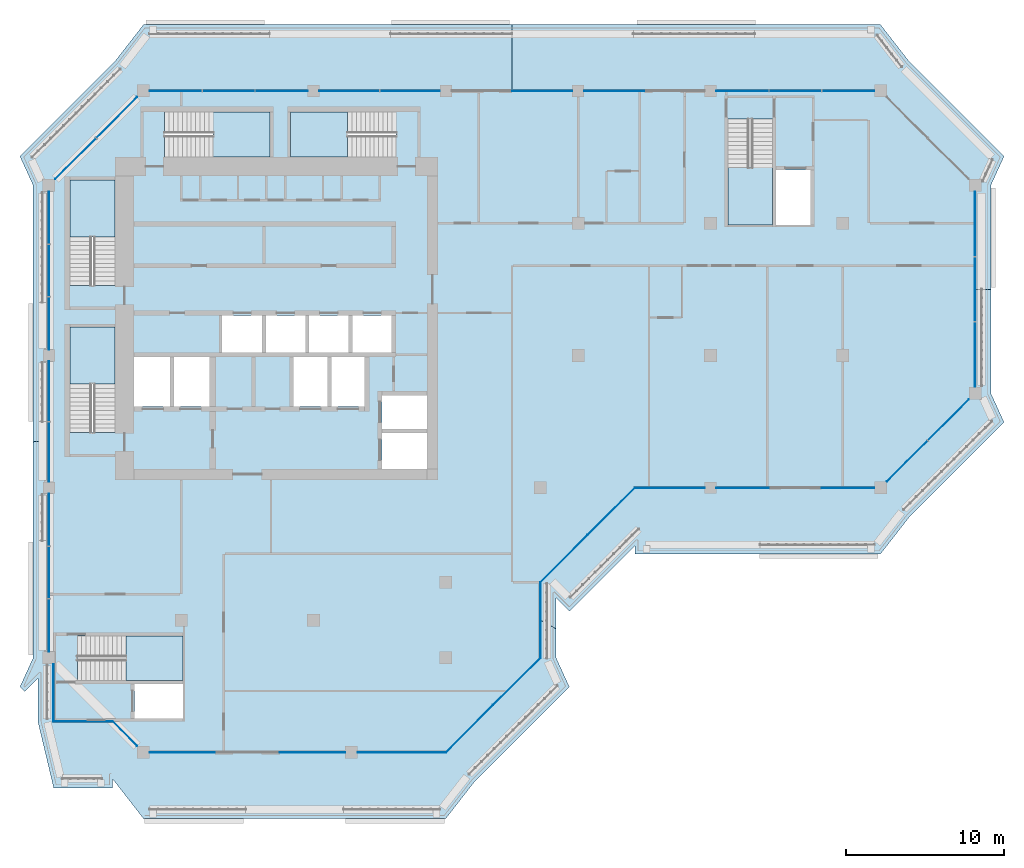
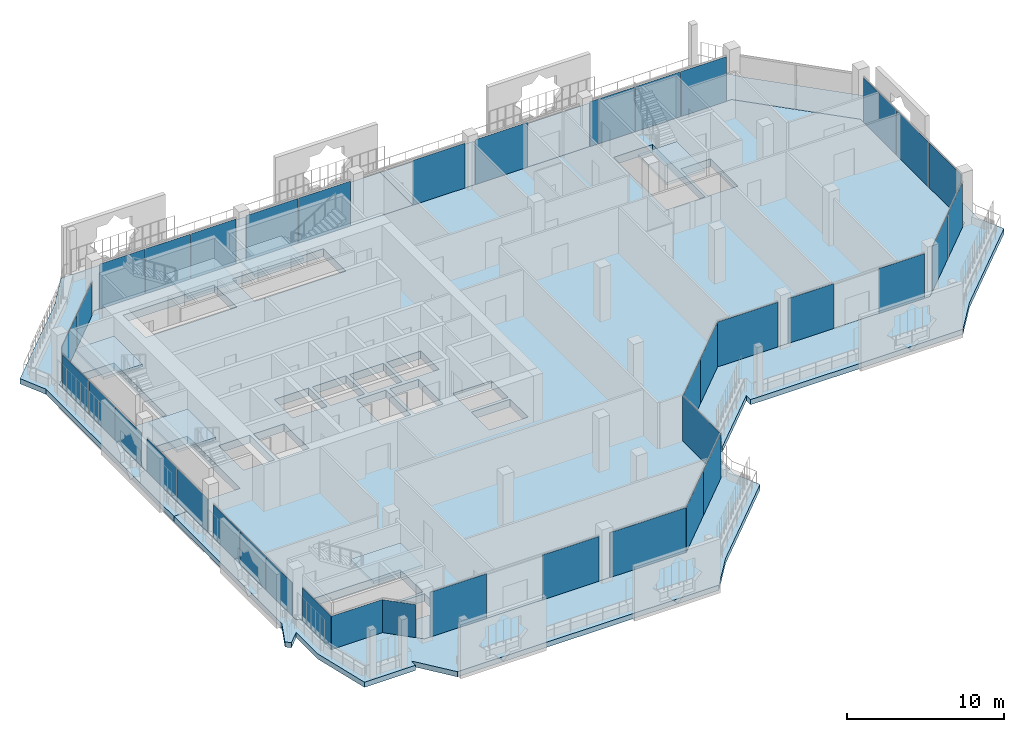
# One storey, part 9 of 21: 39 plates, 11 slabs, 19 elements without a shape of their own.
"""IFC4 building model written with IfcOpenShell, lengths in metres."""

from ifc_helpers import new_model, si_unit, direction, frame, origin, origin_2d, place, context, subcontext, project, spatial, polyline, rectangle, outline, extrude, material, layer, layer_set, type_object, element, aggregate, save


model = new_model("IFC4")

# Units and contexts
model_context = context("Model", 3, precision=1e-05, world=origin(), true_north=direction((0.0, 1.0)))
body_context = subcontext(model_context, "Body", "Model", "MODEL_VIEW")
ifc_project = project(units=[si_unit("LENGTHUNIT", "METRE"), si_unit("AREAUNIT", "SQUARE_METRE"), si_unit("VOLUMEUNIT", "CUBIC_METRE"), si_unit("PLANEANGLEUNIT", "RADIAN"), si_unit("MASSUNIT", "GRAM", prefix="KILO")], contexts=[model_context])

# Site, building, storey
site_placement = place(None, origin())
site = spatial("IfcSite", under=ifc_project, at=site_placement, CompositionType="ELEMENT")
building_placement = place(site_placement, origin())
building = spatial("IfcBuilding", under=site, at=building_placement, Name="Kawkab Arch Medical Tower", CompositionType="ELEMENT")
storey_placement = place(building_placement, frame((0.0, 0.0, 302.800048828125)))
storey = spatial("IfcBuildingStorey", under=building, at=storey_placement, Name="L70", CompositionType="ELEMENT", Elevation=302.800048828125)

# Curtain wall, plates
ifc_material_1 = material(Name="Bronze anodised aluminium curtain wall frame", Category="aluminium")
ifc_layer_1 = layer(ifc_material_1, 0.159912109375)
ifc_layer_set_1 = layer_set([ifc_layer_1], Name="Bronze anodised aluminium curtain wall frame")
curtain_wall_type_1 = type_object("IfcCurtainWallType", Name="CW1 ward curtain wall", PredefinedType="NOTDEFINED", material=ifc_layer_set_1)
placement_1 = place(storey_placement, origin())
curtain_wall_1 = element("IfcCurtainWall", 1, at=placement_1, inside=storey, type_object=curtain_wall_type_1, Name="CW1 Ward curtain wall R02", PredefinedType="NOTDEFINED")
ifc_material_2 = material(Name="Tinted insulating glass, bronze low-e coating", Category="glass")
ifc_layer_2 = layer(ifc_material_2, 0.031982421875)
ifc_layer_set_2 = layer_set([ifc_layer_2], Name="Tinted insulating glass, bronze low-e coating")
plate_type_1 = type_object("IfcPlateType", Name="CW1 glazing unit 32", PredefinedType="CURTAIN_PANEL", material=ifc_layer_set_2)
plate_1_placement = place(storey_placement, frame((0.0, -8.055908203125, 0.0), z_axis=(0.0, 0.0, 1.0), x_axis=(0.0, -1.0, 0.0)))
plate_1 = element("IfcPlate", 2, at=plate_1_placement, type_object=plate_type_1, Name="CW1 glazing unit 1.1", PredefinedType="CURTAIN_PANEL", context=body_context, shape_type="SweptSolid", body=[
    extrude(rectangle(XDim=3.311767578125, YDim=0.031982421875, at=origin_2d()), origin(), (0.0, 0.0, 1.0), 2.580078125),
])
plate_2_placement = place(storey_placement, frame((0.0, -11.41259765625, 0.0), z_axis=(0.0, 0.0, 1.0), x_axis=(0.0, -1.0, 0.0)))
plate_2 = element("IfcPlate", 3, at=plate_2_placement, type_object=plate_type_1, Name="CW1 glazing unit 1.2", PredefinedType="CURTAIN_PANEL", context=body_context, shape_type="SweptSolid", body=[
    extrude(rectangle(XDim=3.28173828125, YDim=0.031982421875, at=origin_2d()), origin(), (0.0, 0.0, 1.0), 2.580078125),
])
plate_3_placement = place(storey_placement, frame((0.0, -14.769287109375, 0.0), z_axis=(0.0, 0.0, 1.0), x_axis=(0.0, -1.0, 0.0)))
plate_3 = element("IfcPlate", 4, at=plate_3_placement, type_object=plate_type_1, Name="CW1 glazing unit 1.3", PredefinedType="CURTAIN_PANEL", context=body_context, shape_type="SweptSolid", body=[
    extrude(rectangle(XDim=3.311767578125, YDim=0.031982421875, at=origin_2d()), origin(), (0.0, 0.0, 1.0), 2.580078125),
])
plate_4_placement = place(storey_placement, frame((0.0, -19.072509765625, 0.0), z_axis=(0.0, 0.0, 1.0), x_axis=(0.0, -1.0, 0.0)))
plate_4 = element("IfcPlate", 5, at=plate_4_placement, type_object=plate_type_1, Name="CW1 glazing unit 2.1", PredefinedType="CURTAIN_PANEL", context=body_context, shape_type="SweptSolid", body=[
    extrude(rectangle(XDim=3.794921875, YDim=0.031982421875, at=origin_2d()), origin(), (0.0, 0.0, 1.0), 2.580078125),
])
plate_5_placement = place(storey_placement, frame((0.0, -22.927490234375, 0.0), z_axis=(0.0, 0.0, 1.0), x_axis=(0.0, -1.0, 0.0)))
plate_5 = element("IfcPlate", 6, at=plate_5_placement, type_object=plate_type_1, Name="CW1 glazing unit 2.2", PredefinedType="CURTAIN_PANEL", context=body_context, shape_type="SweptSolid", body=[
    extrude(rectangle(XDim=3.794921875, YDim=0.031982421875, at=origin_2d()), origin(), (0.0, 0.0, 1.0), 2.580078125),
])
plate_6_placement = place(storey_placement, frame((0.0, -27.230712890625, 0.0), z_axis=(0.0, 0.0, 1.0), x_axis=(0.0, -1.0, 0.0)))
plate_6 = element("IfcPlate", 7, at=plate_6_placement, type_object=plate_type_1, Name="CW1 glazing unit 3.1", PredefinedType="CURTAIN_PANEL", context=body_context, shape_type="SweptSolid", body=[
    extrude(rectangle(XDim=3.311767578125, YDim=0.031982421875, at=origin_2d()), origin(), (0.0, 0.0, 1.0), 2.580078125),
])
plate_7_placement = place(storey_placement, frame((0.0, -30.58740234375, 0.0), z_axis=(0.0, 0.0, 1.0), x_axis=(0.0, -1.0, 0.0)))
plate_7 = element("IfcPlate", 8, at=plate_7_placement, type_object=plate_type_1, Name="CW1 glazing unit 3.2", PredefinedType="CURTAIN_PANEL", context=body_context, shape_type="SweptSolid", body=[
    extrude(rectangle(XDim=3.28173828125, YDim=0.031982421875, at=origin_2d()), origin(), (0.0, 0.0, 1.0), 2.580078125),
])
plate_8_placement = place(storey_placement, frame((0.0, -33.944091796875, 0.0), z_axis=(0.0, 0.0, 1.0), x_axis=(0.0, -1.0, 0.0)))
plate_8 = element("IfcPlate", 9, at=plate_8_placement, type_object=plate_type_1, Name="CW1 glazing unit 3.3", PredefinedType="CURTAIN_PANEL", context=body_context, shape_type="SweptSolid", body=[
    extrude(rectangle(XDim=3.311767578125, YDim=0.031982421875, at=origin_2d()), origin(), (0.0, 0.0, 1.0), 2.580078125),
])
aggregate(curtain_wall_1, [plate_1, plate_2, plate_3, plate_4, plate_5, plate_6, plate_7, plate_8])

# Curtain wall, plate
curtain_wall_2 = element("IfcCurtainWall", 10, at=placement_1, inside=storey, type_object=curtain_wall_type_1, Name="CW1 Ward curtain wall R04", PredefinedType="NOTDEFINED")
plate_9_placement = place(storey_placement, frame((0.300048828125, -38.22509765625, 0.0), z_axis=(0.0, 0.0, 1.0), x_axis=(0.0, -1.0, 0.0)))
plate_9 = element("IfcPlate", 11, at=plate_9_placement, type_object=plate_type_1, Name="CW1 glazing unit 1.1", PredefinedType="CURTAIN_PANEL", context=body_context, shape_type="SweptSolid", body=[
    extrude(rectangle(XDim=3.64990234375, YDim=0.031982421875, at=origin_2d()), origin(), (0.0, 0.0, 1.0), 2.580078125),
])
aggregate(curtain_wall_2, [plate_9])

curtain_wall_3 = element("IfcCurtainWall", 12, at=placement_1, inside=storey, type_object=curtain_wall_type_1, Name="CW1 Ward curtain wall R05", PredefinedType="NOTDEFINED")
plate_10_placement = place(storey_placement, frame((2.175048828125, -40.050048828125, 0.0), z_axis=(0.0, 0.0, 1.0), x_axis=(1.0, 0.0, 0.0)))
plate_10 = element("IfcPlate", 13, at=plate_10_placement, type_object=plate_type_1, Name="CW1 glazing unit 1.1", PredefinedType="CURTAIN_PANEL", context=body_context, shape_type="SweptSolid", body=[
    extrude(rectangle(XDim=3.75, YDim=0.031982421875, at=origin_2d()), origin(), (0.0, 0.0, 1.0), 2.580078125),
])
aggregate(curtain_wall_3, [plate_10])

# Curtain wall, plates
curtain_wall_4 = element("IfcCurtainWall", 14, at=placement_1, inside=storey, type_object=curtain_wall_type_1, Name="CW1 Ward curtain wall R07", PredefinedType="NOTDEFINED")
plate_11_placement = place(storey_placement, frame((8.466552734375, -42.0, 0.0), z_axis=(0.0, 0.0, 1.0), x_axis=(1.0, 0.0, 0.0)))
plate_11 = element("IfcPlate", 15, at=plate_11_placement, type_object=plate_type_1, Name="CW1 glazing unit 1.1", PredefinedType="CURTAIN_PANEL", context=body_context, shape_type="SweptSolid", body=[
    extrude(rectangle(XDim=4.13330078125, YDim=0.031982421875, at=origin_2d()), origin(), (0.0, 0.0, 1.0), 3.47998046875),
])
plate_12_placement = place(storey_placement, frame((16.7333984375, -42.0, 0.0), z_axis=(0.0, 0.0, 1.0), x_axis=(1.0, 0.0, 0.0)))
plate_12 = element("IfcPlate", 16, at=plate_12_placement, type_object=plate_type_1, Name="CW1 glazing unit 1.3", PredefinedType="CURTAIN_PANEL", context=body_context, shape_type="SweptSolid", body=[
    extrude(rectangle(XDim=4.13330078125, YDim=0.031982421875, at=origin_2d()), origin(), (0.0, 0.0, 1.0), 3.47998046875),
])
plate_13_placement = place(storey_placement, frame((22.39990234375, -42.0, 0.0), z_axis=(0.0, 0.0, 1.0), x_axis=(1.0, 0.0, 0.0)))
plate_13 = element("IfcPlate", 17, at=plate_13_placement, type_object=plate_type_1, Name="CW1 glazing unit 2.1", PredefinedType="CURTAIN_PANEL", context=body_context, shape_type="SweptSolid", body=[
    extrude(rectangle(XDim=5.60009765625, YDim=0.031982421875, at=origin_2d()), origin(), (0.0, 0.0, 1.0), 3.47998046875),
])
aggregate(curtain_wall_4, [plate_11, plate_12, plate_13])

# Curtain wall, plate
curtain_wall_5 = element("IfcCurtainWall", 18, at=placement_1, inside=storey, type_object=curtain_wall_type_1, Name="CW1 Ward curtain wall R09", PredefinedType="NOTDEFINED")
plate_14_placement = place(storey_placement, frame((31.199951171875, -33.60009765625, 0.0), z_axis=(0.0, 0.0, 1.0), x_axis=(0.0, 1.0, 0.0)))
plate_14 = element("IfcPlate", 19, at=plate_14_placement, type_object=plate_type_1, Name="CW1 glazing unit 1.1", PredefinedType="CURTAIN_PANEL", context=body_context, shape_type="SweptSolid", body=[
    extrude(rectangle(XDim=4.800048828125, YDim=0.031982421875, at=origin_2d()), origin(), (0.0, 0.0, 1.0), 3.47998046875),
])
aggregate(curtain_wall_5, [plate_14])

# Curtain wall, plates
curtain_wall_6 = element("IfcCurtainWall", 20, at=placement_1, inside=storey, type_object=curtain_wall_type_1, Name="CW1 Ward curtain wall R11", PredefinedType="NOTDEFINED")
plate_15_placement = place(storey_placement, frame((39.41259765625, -25.199951171875, 0.0), z_axis=(0.0, 0.0, 1.0), x_axis=(1.0, 0.0, 0.0)))
plate_15 = element("IfcPlate", 21, at=plate_15_placement, type_object=plate_type_1, Name="CW1 glazing unit 1.1", PredefinedType="CURTAIN_PANEL", context=body_context, shape_type="SweptSolid", body=[
    extrude(rectangle(XDim=4.425048828125, YDim=0.031982421875, at=origin_2d()), origin(), (0.0, 0.0, 1.0), 3.47998046875),
])
plate_16_placement = place(storey_placement, frame((44.0458984375, -25.199951171875, 0.0), z_axis=(0.0, 0.0, 1.0), x_axis=(1.0, 0.0, 0.0)))
plate_16 = element("IfcPlate", 22, at=plate_16_placement, type_object=plate_type_1, Name="CW1 glazing unit 2.1", PredefinedType="CURTAIN_PANEL", context=body_context, shape_type="SweptSolid", body=[
    extrude(rectangle(XDim=3.341552734375, YDim=0.031982421875, at=origin_2d()), origin(), (0.0, 0.0, 1.0), 3.47998046875),
])
plate_17_placement = place(storey_placement, frame((50.729248046875, -25.199951171875, 0.0), z_axis=(0.0, 0.0, 1.0), x_axis=(1.0, 0.0, 0.0)))
plate_17 = element("IfcPlate", 23, at=plate_17_placement, type_object=plate_type_1, Name="CW1 glazing unit 2.3", PredefinedType="CURTAIN_PANEL", context=body_context, shape_type="SweptSolid", body=[
    extrude(rectangle(XDim=3.341552734375, YDim=0.031982421875, at=origin_2d()), origin(), (0.0, 0.0, 1.0), 3.47998046875),
])
aggregate(curtain_wall_6, [plate_15, plate_16, plate_17])

curtain_wall_7 = element("IfcCurtainWall", 24, at=placement_1, inside=storey, type_object=curtain_wall_type_1, Name="CW1 Ward curtain wall R13", PredefinedType="NOTDEFINED")
plate_18_placement = place(storey_placement, frame((58.800048828125, -16.748291015625, 0.0), z_axis=(0.0, 0.0, 1.0), x_axis=(0.0, 1.0, 0.0)))
plate_18 = element("IfcPlate", 25, at=plate_18_placement, type_object=plate_type_1, Name="CW1 glazing unit 1.1", PredefinedType="CURTAIN_PANEL", context=body_context, shape_type="SweptSolid", body=[
    extrude(rectangle(XDim=4.103271484375, YDim=0.031982421875, at=origin_2d()), origin(), (0.0, 0.0, 1.0), 3.47998046875),
])
plate_19_placement = place(storey_placement, frame((58.800048828125, -12.60009765625, 0.0), z_axis=(0.0, 0.0, 1.0), x_axis=(0.0, 1.0, 0.0)))
plate_19 = element("IfcPlate", 26, at=plate_19_placement, type_object=plate_type_1, Name="CW1 glazing unit 1.2", PredefinedType="CURTAIN_PANEL", context=body_context, shape_type="SweptSolid", body=[
    extrude(rectangle(XDim=4.0732421875, YDim=0.031982421875, at=origin_2d()), origin(), (0.0, 0.0, 1.0), 3.47998046875),
])
plate_20_placement = place(storey_placement, frame((58.800048828125, -8.45166015625, 0.0), z_axis=(0.0, 0.0, 1.0), x_axis=(0.0, 1.0, 0.0)))
plate_20 = element("IfcPlate", 27, at=plate_20_placement, type_object=plate_type_1, Name="CW1 glazing unit 1.3", PredefinedType="CURTAIN_PANEL", context=body_context, shape_type="SweptSolid", body=[
    extrude(rectangle(XDim=4.103271484375, YDim=0.031982421875, at=origin_2d()), origin(), (0.0, 0.0, 1.0), 3.47998046875),
])
aggregate(curtain_wall_7, [plate_18, plate_19, plate_20])

curtain_wall_8 = element("IfcCurtainWall", 28, at=placement_1, inside=storey, type_object=curtain_wall_type_1, Name="CW1 Ward curtain wall R15", PredefinedType="NOTDEFINED")
plate_21_placement = place(storey_placement, frame((50.744140625, 0.0, 0.0), z_axis=(0.0, 0.0, 1.0), x_axis=(-1.0, 0.0, 0.0)))
plate_21 = element("IfcPlate", 29, at=plate_21_placement, type_object=plate_type_1, Name="CW1 glazing unit 1.1", PredefinedType="CURTAIN_PANEL", context=body_context, shape_type="SweptSolid", body=[
    extrude(rectangle(XDim=3.311767578125, YDim=0.031982421875, at=origin_2d()), origin(), (0.0, 0.0, 1.0), 3.47998046875),
])
plate_22_placement = place(storey_placement, frame((47.387451171875, 0.0, 0.0), z_axis=(0.0, 0.0, 1.0), x_axis=(-1.0, 0.0, 0.0)))
plate_22 = element("IfcPlate", 30, at=plate_22_placement, type_object=plate_type_1, Name="CW1 glazing unit 1.2", PredefinedType="CURTAIN_PANEL", context=body_context, shape_type="SweptSolid", body=[
    extrude(rectangle(XDim=3.28173828125, YDim=0.031982421875, at=origin_2d()), origin(), (0.0, 0.0, 1.0), 3.47998046875),
])
plate_23_placement = place(storey_placement, frame((44.03076171875, 0.0, 0.0), z_axis=(0.0, 0.0, 1.0), x_axis=(-1.0, 0.0, 0.0)))
plate_23 = element("IfcPlate", 31, at=plate_23_placement, type_object=plate_type_1, Name="CW1 glazing unit 1.3", PredefinedType="CURTAIN_PANEL", context=body_context, shape_type="SweptSolid", body=[
    extrude(rectangle(XDim=3.311767578125, YDim=0.031982421875, at=origin_2d()), origin(), (0.0, 0.0, 1.0), 3.47998046875),
])
plate_24_placement = place(storey_placement, frame((35.887451171875, 0.0, 0.0), z_axis=(0.0, 0.0, 1.0), x_axis=(-1.0, 0.0, 0.0)))
plate_24 = element("IfcPlate", 32, at=plate_24_placement, type_object=plate_type_1, Name="CW1 glazing unit 2.2", PredefinedType="CURTAIN_PANEL", context=body_context, shape_type="SweptSolid", body=[
    extrude(rectangle(XDim=3.824951171875, YDim=0.031982421875, at=origin_2d()), origin(), (0.0, 0.0, 1.0), 3.47998046875),
])
plate_25_placement = place(storey_placement, frame((31.3125, 0.0, 0.0), z_axis=(0.0, 0.0, 1.0), x_axis=(-1.0, 0.0, 0.0)))
plate_25 = element("IfcPlate", 33, at=plate_25_placement, type_object=plate_type_1, Name="CW1 glazing unit 3.1", PredefinedType="CURTAIN_PANEL", context=body_context, shape_type="SweptSolid", body=[
    extrude(rectangle(XDim=3.824951171875, YDim=0.031982421875, at=origin_2d()), origin(), (0.0, 0.0, 1.0), 3.47998046875),
])
plate_26_placement = place(storey_placement, frame((22.927490234375, 0.0, 0.0), z_axis=(0.0, 0.0, 1.0), x_axis=(-1.0, 0.0, 0.0)))
plate_26 = element("IfcPlate", 34, at=plate_26_placement, type_object=plate_type_1, Name="CW1 glazing unit 4.1", PredefinedType="CURTAIN_PANEL", context=body_context, shape_type="SweptSolid", body=[
    extrude(rectangle(XDim=3.794921875, YDim=0.031982421875, at=origin_2d()), origin(), (0.0, 0.0, 1.0), 3.47998046875),
])
plate_27_placement = place(storey_placement, frame((19.072509765625, 0.0, 0.0), z_axis=(0.0, 0.0, 1.0), x_axis=(-1.0, 0.0, 0.0)))
plate_27 = element("IfcPlate", 35, at=plate_27_placement, type_object=plate_type_1, Name="CW1 glazing unit 4.2", PredefinedType="CURTAIN_PANEL", context=body_context, shape_type="SweptSolid", body=[
    extrude(rectangle(XDim=3.794921875, YDim=0.031982421875, at=origin_2d()), origin(), (0.0, 0.0, 1.0), 3.47998046875),
])
plate_28_placement = place(storey_placement, frame((14.769287109375, 0.0, 0.0), z_axis=(0.0, 0.0, 1.0), x_axis=(-1.0, 0.0, 0.0)))
plate_28 = element("IfcPlate", 36, at=plate_28_placement, type_object=plate_type_1, Name="CW1 glazing unit 5.1", PredefinedType="CURTAIN_PANEL", context=body_context, shape_type="SweptSolid", body=[
    extrude(rectangle(XDim=3.311767578125, YDim=0.031982421875, at=origin_2d()), origin(), (0.0, 0.0, 1.0), 3.47998046875),
])
plate_29_placement = place(storey_placement, frame((11.41259765625, 0.0, 0.0), z_axis=(0.0, 0.0, 1.0), x_axis=(-1.0, 0.0, 0.0)))
plate_29 = element("IfcPlate", 37, at=plate_29_placement, type_object=plate_type_1, Name="CW1 glazing unit 5.2", PredefinedType="CURTAIN_PANEL", context=body_context, shape_type="SweptSolid", body=[
    extrude(rectangle(XDim=3.28173828125, YDim=0.031982421875, at=origin_2d()), origin(), (0.0, 0.0, 1.0), 3.47998046875),
])
plate_30_placement = place(storey_placement, frame((8.055908203125, 0.0, 0.0), z_axis=(0.0, 0.0, 1.0), x_axis=(-1.0, 0.0, 0.0)))
plate_30 = element("IfcPlate", 38, at=plate_30_placement, type_object=plate_type_1, Name="CW1 glazing unit 5.3", PredefinedType="CURTAIN_PANEL", context=body_context, shape_type="SweptSolid", body=[
    extrude(rectangle(XDim=3.311767578125, YDim=0.031982421875, at=origin_2d()), origin(), (0.0, 0.0, 1.0), 3.47998046875),
])
aggregate(curtain_wall_8, [plate_21, plate_22, plate_23, plate_24, plate_25, plate_26, plate_27, plate_28, plate_29, plate_30])

ifc_material_3 = material(Name="Bronze anodised aluminium curtain wall frame", Category="aluminium")
ifc_layer_3 = layer(ifc_material_3, 0.159912109375)
ifc_layer_set_3 = layer_set([ifc_layer_3], Name="Bronze anodised aluminium curtain wall frame")
curtain_wall_type_2 = type_object("IfcCurtainWallType", Name="CW2 chamfer curtain wall", PredefinedType="NOTDEFINED", material=ifc_layer_set_3)
curtain_wall_9 = element("IfcCurtainWall", 39, at=placement_1, inside=storey, type_object=curtain_wall_type_2, Name="CW2 Chamfer curtain wall R01", PredefinedType="NOTDEFINED")
ifc_material_4 = material(Name="Tinted insulating glass, bronze low-e coating", Category="glass")
ifc_layer_4 = layer(ifc_material_4, 0.031982421875)
ifc_layer_set_4 = layer_set([ifc_layer_4], Name="Tinted insulating glass, bronze low-e coating")
plate_type_2 = type_object("IfcPlateType", Name="CW2 glazing unit 32", PredefinedType="CURTAIN_PANEL", material=ifc_layer_set_4)
plate_31_placement = place(storey_placement, frame((4.310546875, -1.689453125, 0.0), z_axis=(0.0, 0.0, 1.0), x_axis=(-0.707106781187, -0.707106781187, 0.0)))
plate_31 = element("IfcPlate", 40, at=plate_31_placement, type_object=plate_type_2, Name="CW2 glazing unit 1.1", PredefinedType="CURTAIN_PANEL", context=body_context, shape_type="SweptSolid", body=[
    extrude(rectangle(XDim=3.64697265625, YDim=0.031982421875, at=origin_2d()), origin(), (0.0, 0.0, 1.0), 2.56005859375),
])
plate_32_placement = place(storey_placement, frame((1.689453125, -4.310546875, 0.0), z_axis=(0.0, 0.0, 1.0), x_axis=(-0.707106781187, -0.707106781187, 0.0)))
plate_32 = element("IfcPlate", 41, at=plate_32_placement, type_object=plate_type_2, Name="CW2 glazing unit 1.2", PredefinedType="CURTAIN_PANEL", context=body_context, shape_type="SweptSolid", body=[
    extrude(rectangle(XDim=3.64697265625, YDim=0.031982421875, at=origin_2d()), origin(), (0.0, 0.0, 1.0), 2.56005859375),
])
aggregate(curtain_wall_9, [plate_31, plate_32])

# Curtain wall, plate
curtain_wall_10 = element("IfcCurtainWall", 42, at=placement_1, inside=storey, type_object=curtain_wall_type_2, Name="CW2 Chamfer curtain wall R06", PredefinedType="NOTDEFINED")
plate_33_placement = place(storey_placement, frame((4.824951171875, -40.824951171875, 0.0), z_axis=(0.0, 0.0, 1.0), x_axis=(0.707106781187, -0.707106781187, 0.0)))
plate_33 = element("IfcPlate", 43, at=plate_33_placement, type_object=plate_type_2, Name="CW2 glazing unit 1.1", PredefinedType="CURTAIN_PANEL", context=body_context, shape_type="SweptSolid", body=[
    extrude(rectangle(XDim=2.192138671875, YDim=0.031982421875, at=origin_2d()), origin(), (0.0, 0.0, 1.0), 2.56005859375),
])
aggregate(curtain_wall_10, [plate_33])

# Curtain wall, plates
curtain_wall_11 = element("IfcCurtainWall", 44, at=placement_1, inside=storey, type_object=curtain_wall_type_2, Name="CW2 Chamfer curtain wall R08", PredefinedType="NOTDEFINED")
plate_34_placement = place(storey_placement, frame((26.699951171875, -40.5, 0.0), z_axis=(0.0, 0.0, 1.0), x_axis=(0.707106781187, 0.707106781187, 0.0)))
plate_34 = element("IfcPlate", 45, at=plate_34_placement, type_object=plate_type_2, Name="CW2 glazing unit 1.1", PredefinedType="CURTAIN_PANEL", context=body_context, shape_type="SweptSolid", body=[
    extrude(rectangle(XDim=4.24267578125, YDim=0.031982421875, at=origin_2d()), origin(), (0.0, 0.0, 1.0), 3.4599609375),
])
plate_35_placement = place(storey_placement, frame((29.699951171875, -37.5, 0.0), z_axis=(0.0, 0.0, 1.0), x_axis=(0.707106781187, 0.707106781187, 0.0)))
plate_35 = element("IfcPlate", 46, at=plate_35_placement, type_object=plate_type_2, Name="CW2 glazing unit 2.1", PredefinedType="CURTAIN_PANEL", context=body_context, shape_type="SweptSolid", body=[
    extrude(rectangle(XDim=4.24267578125, YDim=0.031982421875, at=origin_2d()), origin(), (0.0, 0.0, 1.0), 3.4599609375),
])
aggregate(curtain_wall_11, [plate_34, plate_35])

curtain_wall_12 = element("IfcCurtainWall", 47, at=placement_1, inside=storey, type_object=curtain_wall_type_2, Name="CW2 Chamfer curtain wall R10", PredefinedType="NOTDEFINED")
plate_36_placement = place(storey_placement, frame((32.699951171875, -29.699951171875, 0.0), z_axis=(0.0, 0.0, 1.0), x_axis=(0.707106781187, 0.707106781187, 0.0)))
plate_36 = element("IfcPlate", 48, at=plate_36_placement, type_object=plate_type_2, Name="CW2 glazing unit 1.1", PredefinedType="CURTAIN_PANEL", context=body_context, shape_type="SweptSolid", body=[
    extrude(rectangle(XDim=4.24267578125, YDim=0.031982421875, at=origin_2d()), origin(), (0.0, 0.0, 1.0), 3.4599609375),
])
plate_37_placement = place(storey_placement, frame((35.699951171875, -26.699951171875, 0.0), z_axis=(0.0, 0.0, 1.0), x_axis=(0.707106781187, 0.707106781187, 0.0)))
plate_37 = element("IfcPlate", 49, at=plate_37_placement, type_object=plate_type_2, Name="CW2 glazing unit 2.1", PredefinedType="CURTAIN_PANEL", context=body_context, shape_type="SweptSolid", body=[
    extrude(rectangle(XDim=4.24267578125, YDim=0.031982421875, at=origin_2d()), origin(), (0.0, 0.0, 1.0), 3.4599609375),
])
aggregate(curtain_wall_12, [plate_36, plate_37])

curtain_wall_13 = element("IfcCurtainWall", 50, at=placement_1, inside=storey, type_object=curtain_wall_type_2, Name="CW2 Chamfer curtain wall R12", PredefinedType="NOTDEFINED")
plate_38_placement = place(storey_placement, frame((54.489501953125, -23.510498046875, 0.0), z_axis=(0.0, 0.0, 1.0), x_axis=(0.707106781187, 0.707106781187, 0.0)))
plate_38 = element("IfcPlate", 51, at=plate_38_placement, type_object=plate_type_2, Name="CW2 glazing unit 1.1", PredefinedType="CURTAIN_PANEL", context=body_context, shape_type="SweptSolid", body=[
    extrude(rectangle(XDim=3.64697265625, YDim=0.031982421875, at=origin_2d()), origin(), (0.0, 0.0, 1.0), 3.4599609375),
])
plate_39_placement = place(storey_placement, frame((57.110595703125, -20.889404296875, 0.0), z_axis=(0.0, 0.0, 1.0), x_axis=(0.707106781187, 0.707106781187, 0.0)))
plate_39 = element("IfcPlate", 52, at=plate_39_placement, type_object=plate_type_2, Name="CW2 glazing unit 1.2", PredefinedType="CURTAIN_PANEL", context=body_context, shape_type="SweptSolid", body=[
    extrude(rectangle(XDim=3.64697265625, YDim=0.031982421875, at=origin_2d()), origin(), (0.0, 0.0, 1.0), 3.4599609375),
])
aggregate(curtain_wall_13, [plate_38, plate_39])

# Stair, slab
ifc_material_5 = material(Name="Concrete C40/50", Category="concrete")
stair_type = type_object("IfcStairType", Name="Exit stair 1350", PredefinedType="HALF_TURN_STAIR", material=ifc_material_5)
stair_1 = element("IfcStair", 53, at=placement_1, inside=storey, type_object=stair_type, Name="L70 Exit stair ST1", PredefinedType="HALF_TURN_STAIR")
ifc_material_6 = material(Name="Concrete C40/50", Category="concrete")
ifc_layer_5 = layer(ifc_material_6, 0.199951171875)
ifc_layer_set_5 = layer_set([ifc_layer_5], Name="Concrete C40/50")
slab_type_1 = type_object("IfcSlabType", Name="Exit stair landing 200", PredefinedType="LANDING", material=ifc_layer_set_5)
placement_2 = place(storey_placement, frame((0.0, 0.0, 1.89990234375)))
slab_1 = element("IfcSlab", 54, at=placement_2, type_object=slab_type_1, Name="ST1 landing 1", PredefinedType="LANDING", context=body_context, shape_type="SweptSolid", body=[
    extrude(outline(polyline([(4.199951171875, -9.27001953125), (4.199951171875, -5.64990234375), (1.35009765625, -5.64990234375), (1.35009765625, -9.27001953125), (4.199951171875, -9.27001953125)])), origin(), (0.0, 0.0, 1.0), 0.199951171875),
])
aggregate(stair_1, [slab_1])

stair_2 = element("IfcStair", 55, at=placement_1, inside=storey, type_object=stair_type, Name="L70 Exit stair ST2", PredefinedType="HALF_TURN_STAIR")
slab_2 = element("IfcSlab", 56, at=placement_2, type_object=slab_type_1, Name="ST2 landing 1", PredefinedType="LANDING", context=body_context, shape_type="SweptSolid", body=[
    extrude(outline(polyline([(4.199951171875, -18.6201171875), (4.199951171875, -15.0), (1.35009765625, -15.0), (1.35009765625, -18.6201171875), (4.199951171875, -18.6201171875)])), origin(), (0.0, 0.0, 1.0), 0.199951171875),
])
aggregate(stair_2, [slab_2])

stair_3 = element("IfcStair", 57, at=placement_1, inside=storey, type_object=stair_type, Name="L70 Exit stair ST3", PredefinedType="HALF_TURN_STAIR")
slab_3 = element("IfcSlab", 58, at=placement_2, type_object=slab_type_1, Name="ST3 landing 1", PredefinedType="LANDING", context=body_context, shape_type="SweptSolid", body=[
    extrude(outline(polyline([(10.429931640625, -4.199951171875), (14.050048828125, -4.199951171875), (14.050048828125, -1.35009765625), (10.429931640625, -1.35009765625), (10.429931640625, -4.199951171875)])), origin(), (0.0, 0.0, 1.0), 0.199951171875),
])
aggregate(stair_3, [slab_3])

stair_4 = element("IfcStair", 59, at=placement_1, inside=storey, type_object=stair_type, Name="L70 Exit stair ST4", PredefinedType="HALF_TURN_STAIR")
slab_4 = element("IfcSlab", 60, at=placement_2, type_object=slab_type_1, Name="ST4 landing 1", PredefinedType="LANDING", context=body_context, shape_type="SweptSolid", body=[
    extrude(outline(polyline([(18.969970703125, -1.35009765625), (15.35009765625, -1.35009765625), (15.35009765625, -4.199951171875), (18.969970703125, -4.199951171875), (18.969970703125, -1.35009765625)])), origin(), (0.0, 0.0, 1.0), 0.199951171875),
])
aggregate(stair_4, [slab_4])

stair_5 = element("IfcStair", 61, at=placement_1, inside=storey, type_object=stair_type, Name="L70 Exit stair ST5", PredefinedType="HALF_TURN_STAIR")
slab_5 = element("IfcSlab", 62, at=placement_2, type_object=slab_type_1, Name="ST5 landing 1", PredefinedType="LANDING", context=body_context, shape_type="SweptSolid", body=[
    extrude(outline(polyline([(43.10009765625, -4.8798828125), (43.10009765625, -8.5), (45.949951171875, -8.5), (45.949951171875, -4.8798828125), (43.10009765625, -4.8798828125)])), origin(), (0.0, 0.0, 1.0), 0.199951171875),
])
aggregate(stair_5, [slab_5])

stair_6 = element("IfcStair", 63, at=placement_1, inside=storey, type_object=stair_type, Name="L70 Exit stair ST6", PredefinedType="HALF_TURN_STAIR")
slab_6 = element("IfcSlab", 64, at=placement_2, type_object=slab_type_1, Name="ST6 landing 1", PredefinedType="LANDING", context=body_context, shape_type="SweptSolid", body=[
    extrude(outline(polyline([(4.8798828125, -37.449951171875), (8.5, -37.449951171875), (8.5, -34.60009765625), (4.8798828125, -34.60009765625), (4.8798828125, -37.449951171875)])), origin(), (0.0, 0.0, 1.0), 0.199951171875),
])
aggregate(stair_6, [slab_6])

# Slabs
ifc_material_7 = material(Name="Concrete C45/55", Category="concrete")
ifc_layer_6 = layer(ifc_material_7, 0.60009765625)
ifc_layer_set_6 = layer_set([ifc_layer_6], Name="Concrete C45/55")
slab_type_2 = type_object("IfcSlabType", Name="Flat plate 600 C45/55", PredefinedType="FLOOR", material=ifc_layer_set_6)
slab_7_placement = place(storey_placement, frame((0.0, 0.0, -0.60009765625)))
element("IfcSlab", 65, at=slab_7_placement, inside=storey, type_object=slab_type_2, Name="Floor slab L70", PredefinedType="FLOOR", context=body_context, shape_type="SweptSolid", body=[
    extrude(outline(polyline([(52.800048828125, 0.0), (58.800048828125, -6.0), (58.800048828125, -19.199951171875), (52.800048828125, -25.199951171875), (37.199951171875, -25.199951171875), (31.199951171875, -31.199951171875), (31.199951171875, -36.0), (25.199951171875, -42.0), (6.0, -42.0), (4.050048828125, -40.050048828125), (0.300048828125, -40.050048828125), (0.300048828125, -36.300048828125), (0.0, -36.0), (0.0, -6.0), (6.0, 0.0), (52.800048828125, 0.0)]), holes=[polyline([(5.425048828125, -37.64990234375), (5.425048828125, -39.85009765625), (8.5, -39.85009765625), (8.5, -37.64990234375), (5.425048828125, -37.64990234375)]), polyline([(8.5, -37.449951171875), (8.5, -34.60009765625), (1.800048828125, -34.60009765625), (1.800048828125, -37.449951171875), (8.5, -37.449951171875)]), polyline([(5.39990234375, -20.050048828125), (7.675048828125, -20.050048828125), (7.675048828125, -16.89990234375), (5.39990234375, -16.89990234375), (5.39990234375, -20.050048828125)]), polyline([(10.199951171875, -16.89990234375), (7.925048828125, -16.89990234375), (7.925048828125, -20.050048828125), (10.199951171875, -20.050048828125), (10.199951171875, -16.89990234375)]), polyline([(4.199951171875, -15.0), (1.35009765625, -15.0), (1.35009765625, -21.699951171875), (4.199951171875, -21.699951171875), (4.199951171875, -15.0)]), polyline([(11.0, -14.25), (11.0, -16.60009765625), (13.52490234375, -16.60009765625), (13.52490234375, -14.25), (11.0, -14.25)]), polyline([(16.27490234375, -14.25), (13.77490234375, -14.25), (13.77490234375, -16.60009765625), (16.27490234375, -16.60009765625), (16.27490234375, -14.25)]), polyline([(4.199951171875, -12.35009765625), (4.199951171875, -5.64990234375), (1.35009765625, -5.64990234375), (1.35009765625, -12.35009765625), (4.199951171875, -12.35009765625)]), polyline([(7.35009765625, -4.199951171875), (14.050048828125, -4.199951171875), (14.050048828125, -1.35009765625), (7.35009765625, -1.35009765625), (7.35009765625, -4.199951171875)]), polyline([(24.0, -21.72509765625), (21.14990234375, -21.72509765625), (21.14990234375, -24.0), (24.0, -24.0), (24.0, -21.72509765625)]), polyline([(24.0, -19.35009765625), (21.14990234375, -19.35009765625), (21.14990234375, -21.47509765625), (24.0, -21.47509765625), (24.0, -19.35009765625)]), polyline([(15.52490234375, -16.89990234375), (15.52490234375, -20.050048828125), (17.675048828125, -20.050048828125), (17.675048828125, -16.89990234375), (15.52490234375, -16.89990234375)]), polyline([(17.925048828125, -20.050048828125), (20.050048828125, -20.050048828125), (20.050048828125, -16.89990234375), (17.925048828125, -16.89990234375), (17.925048828125, -20.050048828125)]), polyline([(19.02490234375, -14.25), (16.52490234375, -14.25), (16.52490234375, -16.60009765625), (19.02490234375, -16.60009765625), (19.02490234375, -14.25)]), polyline([(19.27490234375, -14.25), (19.27490234375, -16.60009765625), (21.75, -16.60009765625), (21.75, -14.25), (19.27490234375, -14.25)]), polyline([(46.14990234375, -8.5), (48.35009765625, -8.5), (48.35009765625, -5.02490234375), (46.14990234375, -5.02490234375), (46.14990234375, -8.5)]), polyline([(43.10009765625, -1.800048828125), (43.10009765625, -8.5), (45.949951171875, -8.5), (45.949951171875, -1.800048828125), (43.10009765625, -1.800048828125)]), polyline([(22.050048828125, -1.35009765625), (15.35009765625, -1.35009765625), (15.35009765625, -4.199951171875), (22.050048828125, -4.199951171875), (22.050048828125, -1.35009765625)])]), origin(), (0.0, 0.0, 1.0), 0.60009765625),
])
ifc_material_8 = material(Name="Concrete C40/50", Category="concrete")
ifc_layer_7 = layer(ifc_material_8, 0.39990234375)
ifc_layer_set_7 = layer_set([ifc_layer_7], Name="Concrete C40/50")
slab_type_3 = type_object("IfcSlabType", Name="Loggia slab 400", PredefinedType="FLOOR", material=ifc_layer_set_7)
placement_3 = place(storey_placement, frame((0.0, 0.0, -0.400146484375)))
element("IfcSlab", 66, at=placement_3, inside=storey, type_object=slab_type_3, Name="Loggia slab L70.1", PredefinedType="FLOOR", context=body_context, shape_type="SweptSolid", body=[
    extrude(outline(polyline([(-1.0, -36.0), (-1.0, -22.280029296875), (-0.0009765625, -22.22705078125), (-0.0009765625, -36.0), (0.0, -36.0), (0.299072265625, -36.300048828125), (0.299072265625, -40.050048828125), (4.050048828125, -40.050048828125), (6.0, -42.0), (6.0, -42.0009765625), (25.199951171875, -42.0009765625), (25.199951171875, -42.0), (31.199951171875, -36.0), (31.199951171875, -33.60107421875), (32.199951171875, -34.156005859375), (32.199951171875, -36.0), (33.0380859375, -37.837890625), (27.0380859375, -43.837890625), (25.199951171875, -46.199951171875), (6.0, -46.199951171875), (4.162109375, -43.837890625), (4.050048828125, -43.72607421875), (4.050048828125, -44.25), (0.300048828125, -44.25), (-0.699951171875, -40.050048828125), (-0.699951171875, -37.299072265625), (-1.5380859375, -38.136962890625), (-1.837890625, -37.837890625), (-1.0, -36.0)])), origin(), (0.0, 0.0, 1.0), 0.400146484375),
])
element("IfcSlab", 67, at=placement_3, inside=storey, type_object=slab_type_3, Name="Loggia slab L70.2", PredefinedType="FLOOR", context=body_context, shape_type="SweptSolid", body=[
    extrude(outline(polyline([(31.199951171875, -31.199951171875), (37.199951171875, -25.199951171875), (52.800048828125, -25.199951171875), (58.800048828125, -19.199951171875), (58.800048828125, -12.60009765625), (59.800048828125, -12.60009765625), (59.800048828125, -19.199951171875), (60.637939453125, -21.0380859375), (54.637939453125, -27.0380859375), (52.800048828125, -29.39990234375), (37.199951171875, -29.39990234375), (37.199951171875, -28.8759765625), (33.0380859375, -33.037109375), (32.199951171875, -32.198974609375), (32.199951171875, -34.155029296875), (31.199951171875, -33.60009765625), (31.199951171875, -31.199951171875)])), origin(), (0.0, 0.0, 1.0), 0.400146484375),
])
element("IfcSlab", 68, at=placement_3, inside=storey, type_object=slab_type_3, Name="Loggia slab L70.3", PredefinedType="FLOOR", context=body_context, shape_type="SweptSolid", body=[
    extrude(outline(polyline([(-1.837890625, -4.162109375), (4.162109375, 1.837890625), (6.0, 4.199951171875), (29.39990234375, 4.199951171875), (29.39990234375, 0.0009765625), (6.0, 0.0009765625), (6.0, 0.0), (0.0, -6.0), (-0.0009765625, -6.0), (-0.0009765625, -22.22607421875), (-1.0, -22.279052734375), (-1.0, -6.0), (-1.837890625, -4.162109375)])), origin(), (0.0, 0.0, 1.0), 0.400146484375),
])
element("IfcSlab", 69, at=placement_3, inside=storey, type_object=slab_type_3, Name="Loggia slab L70.4", PredefinedType="FLOOR", context=body_context, shape_type="SweptSolid", body=[
    extrude(outline(polyline([(54.637939453125, 1.837890625), (60.637939453125, -4.162109375), (59.800048828125, -6.0), (59.800048828125, -12.60009765625), (58.800048828125, -12.60009765625), (58.800048828125, -6.0), (52.800048828125, 0.0), (52.800048828125, 0.0009765625), (29.39990234375, 0.0009765625), (29.39990234375, 4.199951171875), (52.800048828125, 4.199951171875), (54.637939453125, 1.837890625)])), origin(), (0.0, 0.0, 1.0), 0.400146484375),
])

save(model, "model.ifc")
